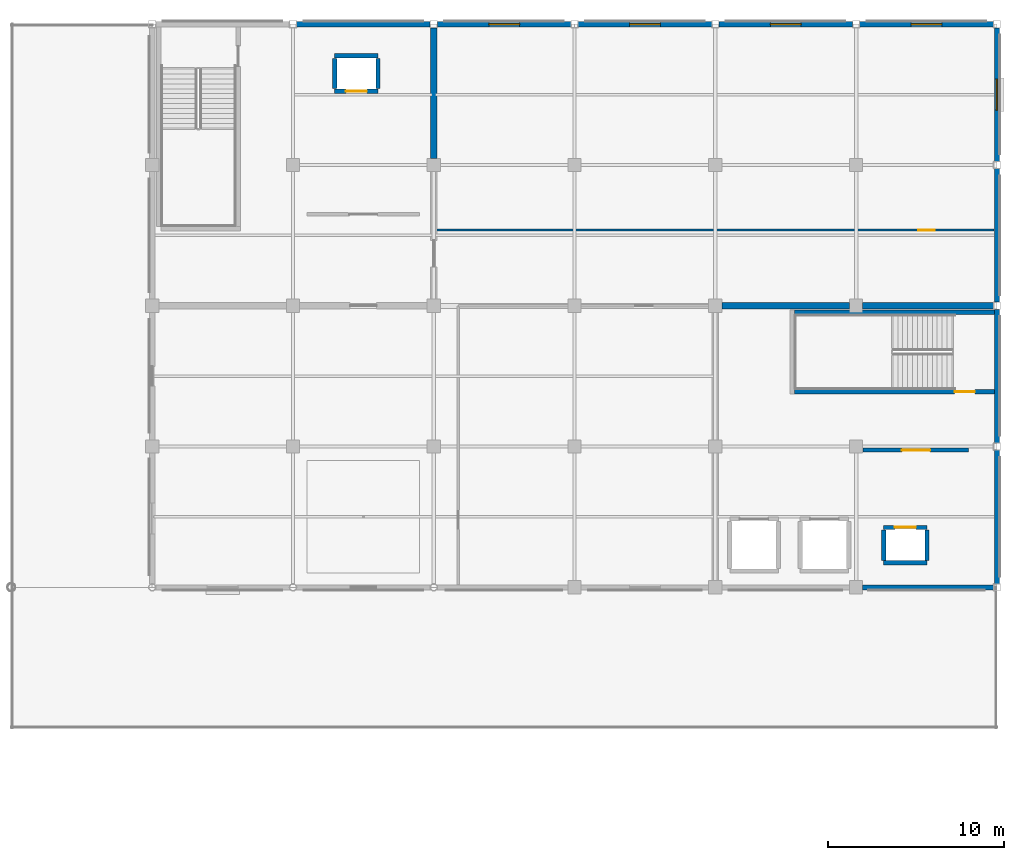
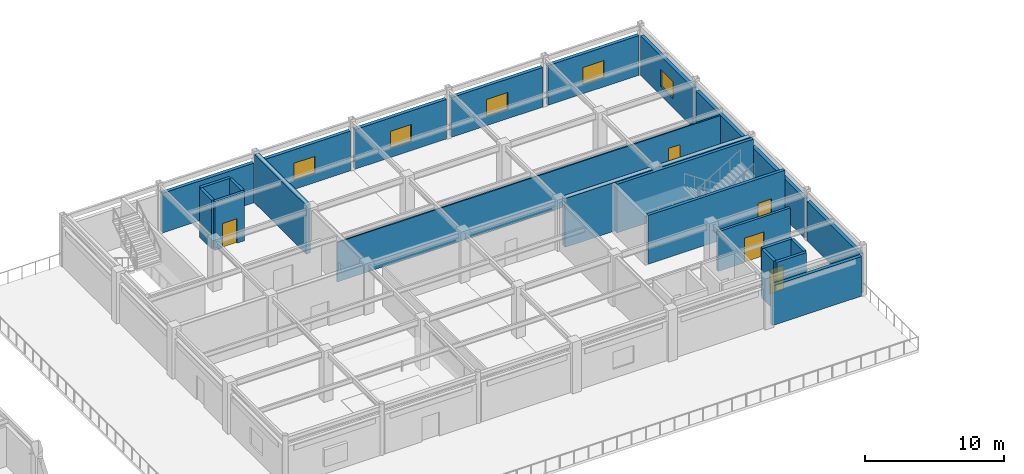
# One storey, part 60 of 75: 25 walls, 5 doors, 5 windows, 10 openings.
"""IFC4 building model written with IfcOpenShell, lengths in metres."""

import ifcopenshell
import ifcopenshell.guid

model = None  # the IFC model being written
_history = None  # IfcOwnerHistory: only IFC2X3 demands one
_inside = {}  # id of a spatial element -> (the spatial element, [elements in it])
_under = {}  # id of a project, library or spatial element -> (it, [spatial elements below it])
_declared = {}  # id of a project -> (the project, [libraries it declares])
_typed = {}  # id of a type object -> (the type object, [elements of that type])
_made_of = {}  # id of a material, layer set ... -> (it, [elements and type objects made of it])


def new_model(schema):
    """Start an empty IFC model of exactly this schema.

    Asked for "IFC4X3", IfcOpenShell would pick the latest addendum, in which some entities
    have other attributes; the version numbers below select the first issue.
    IFC2X3 requires an IfcOwnerHistory on every rooted entity: one is made here for all.
    """
    global model, _history
    if schema == "IFC4X3":
        model = ifcopenshell.file(schema_version=(4, 3, 0, 0))
    else:
        model = ifcopenshell.file(schema=schema)
    _inside.clear()
    _under.clear()
    _declared.clear()
    _typed.clear()
    _made_of.clear()
    _history = None
    if model.schema == "IFC2X3":
        org = make("IfcOrganization", Name="unknown")
        user = make(
            "IfcPersonAndOrganization",
            ThePerson=make("IfcPerson", FamilyName="unknown"),
            TheOrganization=org,
        )
        app = make(
            "IfcApplication",
            ApplicationDeveloper=org,
            Version="unknown",
            ApplicationFullName="unknown",
            ApplicationIdentifier="unknown",
        )
        _history = make(
            "IfcOwnerHistory",
            OwningUser=user,
            OwningApplication=app,
            ChangeAction="ADDED",
            CreationDate=0,
        )
    return model


def make(cls, **values):
    """One entity of the class cls with the attributes given. An attribute that is None is left unset."""
    return model.create_entity(
        cls, **{name: value for name, value in values.items() if value is not None}
    )


def rooted(cls, **values):
    """An entity with a GlobalId (a new one), such as an element, a storey or a relation."""
    return make(cls, GlobalId=ifcopenshell.guid.new(), OwnerHistory=_history, **values)


def si_unit(unit_type, name, prefix=None):
    """IfcSIUnit, for example si_unit("LENGTHUNIT", "METRE", prefix="MILLI")."""
    return make("IfcSIUnit", UnitType=unit_type, Prefix=prefix, Name=name)


def assignment(units):
    """IfcUnitAssignment: the units of a project."""
    return None if units is None else make("IfcUnitAssignment", Units=units)


def point(xyz):
    """IfcCartesianPoint."""
    return None if xyz is None else make("IfcCartesianPoint", Coordinates=xyz)


def direction(xyz):
    """IfcDirection."""
    return None if xyz is None else make("IfcDirection", DirectionRatios=xyz)


def frame(location, z_axis=None, x_axis=None):
    """IfcAxis2Placement3D, a coordinate frame: its origin and axes. An axis left out is left unset."""
    return make(
        "IfcAxis2Placement3D",
        Location=point(location),
        Axis=direction(z_axis),
        RefDirection=direction(x_axis),
    )


def frame_2d(location, x_axis=None):
    """IfcAxis2Placement2D, a coordinate frame in the plane: its origin and x axis."""
    return make(
        "IfcAxis2Placement2D", Location=point(location), RefDirection=direction(x_axis)
    )


def origin():
    """The frame at (0, 0, 0) with its axes left unset."""
    return frame((0.0, 0.0, 0.0))


def place(relative_to, where):
    """IfcLocalPlacement: puts the frame where relative to a parent placement (None: the world)."""
    return make(
        "IfcLocalPlacement", PlacementRelTo=relative_to, RelativePlacement=where
    )


def context(
    kind, dimensions, precision=None, world=None, true_north=None, identifier=None
):
    """IfcGeometricRepresentationContext, for example the 3D "Model" context."""
    return make(
        "IfcGeometricRepresentationContext",
        ContextIdentifier=identifier,
        ContextType=kind,
        CoordinateSpaceDimension=dimensions,
        Precision=precision,
        WorldCoordinateSystem=world,
        TrueNorth=true_north,
    )


def subcontext(parent, identifier, kind, view, scale=None):
    """IfcGeometricRepresentationSubContext, for example "Body" below "Model"."""
    return make(
        "IfcGeometricRepresentationSubContext",
        ContextIdentifier=identifier,
        ContextType=kind,
        ParentContext=parent,
        TargetScale=scale,
        TargetView=view,
    )


def project(units=None, contexts=None):
    """IfcProject with its units and contexts."""
    return rooted(
        "IfcProject",
        Name="project",
        RepresentationContexts=contexts,
        UnitsInContext=assignment(units),
    )


def spatial(cls, under=None, at=None, **own):
    """A site, building, storey or space (cls), placed at a placement, below another one or the project."""
    s = rooted(cls, ObjectPlacement=at, **own)
    if under is not None:
        _under.setdefault(under.id(), (under, []))[1].append(s)
    return s


def profile(cls, at=None, kind="AREA", **sizes):
    """A parametric profile (cls). Its sizes go by their IFC names, for example OverallWidth=200.0."""
    return make(cls, ProfileType=kind, Position=at, **sizes)


def rectangle(**sizes):
    """IfcRectangleProfileDef."""
    return profile("IfcRectangleProfileDef", **sizes)


def extrude(swept, where, along, depth):
    """IfcExtrudedAreaSolid: the profile swept, set in the frame where, extruded along a direction by depth."""
    return make(
        "IfcExtrudedAreaSolid",
        SweptArea=swept,
        Position=where,
        ExtrudedDirection=direction(along),
        Depth=depth,
    )


def shape(context_of_items, identifier, shape_type, items):
    """IfcShapeRepresentation: the items that make up one representation, for example the "Body"."""
    return make(
        "IfcShapeRepresentation",
        ContextOfItems=context_of_items,
        RepresentationIdentifier=identifier,
        RepresentationType=shape_type,
        Items=items,
    )


def material(Name=None, Category=None):
    """IfcMaterial."""
    return make("IfcMaterial", Name=Name, Category=Category)


def layer(
    of_material, thickness, ventilated=None, Name=None, Category=None, Priority=None
):
    """IfcMaterialLayer: one layer of a wall or slab, of a material (None: an air gap)."""
    return make(
        "IfcMaterialLayer",
        Material=of_material,
        LayerThickness=thickness,
        IsVentilated=ventilated,
        Name=Name,
        Category=Category,
        Priority=Priority,
    )


def layer_set(layers, Name=None):
    """IfcMaterialLayerSet."""
    return make("IfcMaterialLayerSet", MaterialLayers=layers, LayerSetName=Name)


def made_of(thing, what):
    """Note that an element or type object is made of a material, layer set ...; save() writes the relation."""
    if what is not None:
        _made_of.setdefault(what.id(), (what, []))[1].append(thing)
    return thing


def type_object(cls, material=None, **own):
    """A type object (cls), such as IfcWallType, which elements share."""
    return made_of(rooted(cls, **own), material)


def element(
    cls,
    number,
    at=None,
    inside=None,
    cuts=None,
    type_object=None,
    material=None,
    context=None,
    identifier="Body",
    shape_type=None,
    held_by="IfcProductDefinitionShape",
    body=None,
    shapes=None,
    **own,
):
    """One element of the class cls, such as IfcWall. Its Tag is "e" and its number.

    at: its placement. inside: the storey or other place that contains it. cuts: it is an
    opening in that element (IfcRelVoidsElement). A single representation is given by context,
    identifier, shape_type and body (its items); several are given by shapes. held_by: the class
    of the entity that holds the representations. save() writes the other relations.
    """
    e = rooted(cls, Tag="e%d" % number, ObjectPlacement=at, **own)
    if body is not None:
        shapes = [shape(context, identifier, shape_type, body)]
    if shapes is not None:
        e.Representation = make(held_by, Representations=shapes)
    if inside is not None:
        _inside.setdefault(inside.id(), (inside, []))[1].append(e)
    if cuts is not None:
        rooted(
            "IfcRelVoidsElement", RelatingBuildingElement=cuts, RelatedOpeningElement=e
        )
    if type_object is not None:
        _typed.setdefault(type_object.id(), (type_object, []))[1].append(e)
    return made_of(e, material)


def fill(opening, filler):
    """IfcRelFillsElement: the door or window that sits in an opening."""
    return rooted(
        "IfcRelFillsElement",
        RelatingOpeningElement=opening,
        RelatedBuildingElement=filler,
    )


def aggregate(whole, parts):
    """IfcRelAggregates: a whole, such as a stair, and the parts it consists of."""
    return rooted("IfcRelAggregates", RelatingObject=whole, RelatedObjects=parts)


def save(model, path):
    """Write the relations noted so far, then the file.

    IfcRelAggregates (storeys below a building ...), IfcRelContainedInSpatialStructure (elements
    in a storey), IfcRelDefinesByType, IfcRelAssociatesMaterial and IfcRelDeclares: one each for
    every whole, place, type object, material and project.
    """
    for whole, parts in _under.values():
        aggregate(whole, parts)
    for where, things in _inside.values():
        rooted(
            "IfcRelContainedInSpatialStructure",
            RelatedElements=things,
            RelatingStructure=where,
        )
    for kind, things in _typed.values():
        rooted("IfcRelDefinesByType", RelatedObjects=things, RelatingType=kind)
    for what, things in _made_of.values():
        rooted("IfcRelAssociatesMaterial", RelatedObjects=things, RelatingMaterial=what)
    for by, libraries in _declared.values():
        rooted("IfcRelDeclares", RelatingContext=by, RelatedDefinitions=libraries)
    model.write(path)


model = new_model("IFC4")

# Units and contexts
model_context = context("Model", 3, precision=1e-05, world=origin(), true_north=direction((0.0, 1.0)))
body_context = subcontext(model_context, "Body", "Model", "MODEL_VIEW")
ifc_project = project(units=[si_unit("LENGTHUNIT", "METRE"), si_unit("AREAUNIT", "SQUARE_METRE"), si_unit("VOLUMEUNIT", "CUBIC_METRE"), si_unit("PLANEANGLEUNIT", "RADIAN"), si_unit("MASSUNIT", "GRAM", prefix="KILO")], contexts=[model_context])

# Site, building, storey
site_placement = place(None, origin())
site = spatial("IfcSite", under=ifc_project, at=site_placement, CompositionType="ELEMENT")
building_placement = place(site_placement, origin())
building = spatial("IfcBuilding", under=site, at=building_placement, Name="Solmirada Galleria", CompositionType="ELEMENT")
storey_placement = place(building_placement, frame((0.0, 0.0, 19.39990234375)))
storey = spatial("IfcBuildingStorey", under=building, at=storey_placement, Name="L04", CompositionType="ELEMENT", Elevation=19.39990234375)

# Walls
ifc_material_1 = material(Name="Concrete C40/50", Category="concrete")
ifc_layer_1 = layer(ifc_material_1, 0.3798828125)
ifc_layer_set_1 = layer_set([ifc_layer_1], Name="Concrete C40/50")
wall_type_1 = type_object("IfcWallType", Name="WL-CORE-380", PredefinedType="SHEAR", material=ifc_layer_set_1)
wall_1_placement = place(storey_placement, frame((144.0, 112.375, 0.0), z_axis=(0.0, 0.0, 1.0), x_axis=(0.0, 1.0, 0.0)))
element("IfcWall", 1, at=wall_1_placement, inside=storey, type_object=wall_type_1, Name="Core C3 shear wall L04 E2", PredefinedType="SHEAR", context=body_context, shape_type="SweptSolid", body=[
    extrude(rectangle(XDim=7.422119140625, YDim=0.3798828125, at=frame_2d((3.7109375, 0.0))), origin(), (0.0, 0.0, 1.0), 4.280029296875),
])
wall_2_placement = place(storey_placement, frame((160.375, 104.0, 0.0), z_axis=(0.0, 0.0, 1.0), x_axis=(1.0, 0.0, 0.0)))
element("IfcWall", 2, at=wall_2_placement, inside=storey, type_object=wall_type_1, Name="Core C4 shear wall L04 N1", PredefinedType="SHEAR", context=body_context, shape_type="SweptSolid", body=[
    extrude(rectangle(XDim=7.25, YDim=0.3798828125, at=frame_2d((3.625, 0.0))), origin(), (0.0, 0.0, 1.0), 4.280029296875),
])
wall_3_placement = place(storey_placement, frame((168.375, 104.0, 0.0), z_axis=(0.0, 0.0, 1.0), x_axis=(1.0, 0.0, 0.0)))
element("IfcWall", 3, at=wall_3_placement, inside=storey, type_object=wall_type_1, Name="Core C4 shear wall L04 N2", PredefinedType="SHEAR", context=body_context, shape_type="SweptSolid", body=[
    extrude(rectangle(XDim=7.422119140625, YDim=0.3798828125, at=frame_2d((3.7109375, 0.0))), origin(), (0.0, 0.0, 1.0), 4.280029296875),
])

# Wall, opening, window
ifc_material_2 = material(Name="Precast concrete C40/50", Category="concrete")
ifc_layer_2 = layer(ifc_material_2, 0.2900390625)
ifc_layer_set_2 = layer_set([ifc_layer_2], Name="Precast concrete C40/50")
wall_type_2 = type_object("IfcWallType", Name="WL-EXT-290", PredefinedType="STANDARD", material=ifc_layer_set_2)
wall_4_placement = place(storey_placement, frame((152.202880859375, 120.0, 0.0), z_axis=(0.0, 0.0, 1.0), x_axis=(1.0, 0.0, 0.0)))
wall_4 = element("IfcWall", 4, at=wall_4_placement, inside=storey, type_object=wall_type_2, Name="Exterior wall L04 bay 071", PredefinedType="STANDARD", context=body_context, shape_type="SweptSolid", body=[
    extrude(rectangle(XDim=7.59423828125, YDim=0.2900390625, at=frame_2d((3.797119140625, 0.0))), origin(), (0.0, 0.0, 1.0), 3.47998046875),
])
opening_1_placement = place(wall_4_placement, frame((2.922119140625, 0.0, 0.800048828125)))
opening_1 = element("IfcOpeningElement", 5, at=opening_1_placement, cuts=wall_4, Name="Opening WN13", PredefinedType="OPENING", context=body_context, shape_type="SweptSolid", body=[
    extrude(rectangle(XDim=1.75, YDim=1.5, at=frame_2d((0.875, 0.75))), frame((0.0, 0.155029296875, 0.0), z_axis=(0.0, -1.0, 0.0), x_axis=(1.0, 0.0, 0.0)), (0.0, 0.0, 1.0), 0.31005859375),
])
ifc_material_3 = material(Name="Impact-resistant low-E double glazing", Category="glass")
window_type = type_object("IfcWindowType", Name="WIN-OFF-175X150", PartitioningType="SINGLE_PANEL", PredefinedType="WINDOW", material=ifc_material_3)
window_1_placement = place(opening_1_placement, origin())
window_1 = element("IfcWindow", 6, at=window_1_placement, inside=storey, type_object=window_type, Name="Window L04-139", OverallHeight=1.5, OverallWidth=1.75, PartitioningType="SINGLE_PANEL", PredefinedType="WINDOW", context=body_context, shape_type="SweptSolid", body=[
    extrude(rectangle(XDim=1.75, YDim=1.5, at=frame_2d((0.875, 0.75))), frame((0.0, 0.030029296875, 0.0), z_axis=(0.0, -1.0, 0.0), x_axis=(1.0, 0.0, 0.0)), (0.0, 0.0, 1.0), 0.06005859375),
])
fill(opening_1, window_1)

wall_5_placement = place(storey_placement, frame((160.202880859375, 120.0, 0.0), z_axis=(0.0, 0.0, 1.0), x_axis=(1.0, 0.0, 0.0)))
wall_5 = element("IfcWall", 7, at=wall_5_placement, inside=storey, type_object=wall_type_2, Name="Exterior wall L04 bay 072", PredefinedType="STANDARD", context=body_context, shape_type="SweptSolid", body=[
    extrude(rectangle(XDim=7.59423828125, YDim=0.2900390625, at=frame_2d((3.797119140625, 0.0))), origin(), (0.0, 0.0, 1.0), 3.47998046875),
])
opening_2_placement = place(wall_5_placement, frame((2.922119140625, 0.0, 0.800048828125)))
opening_2 = element("IfcOpeningElement", 8, at=opening_2_placement, cuts=wall_5, Name="Opening WN13", PredefinedType="OPENING", context=body_context, shape_type="SweptSolid", body=[
    extrude(rectangle(XDim=1.75, YDim=1.5, at=frame_2d((0.875, 0.75))), frame((0.0, 0.155029296875, 0.0), z_axis=(0.0, -1.0, 0.0), x_axis=(1.0, 0.0, 0.0)), (0.0, 0.0, 1.0), 0.31005859375),
])
window_2_placement = place(opening_2_placement, origin())
window_2 = element("IfcWindow", 9, at=window_2_placement, inside=storey, type_object=window_type, Name="Window L04-140", OverallHeight=1.5, OverallWidth=1.75, PartitioningType="SINGLE_PANEL", PredefinedType="WINDOW", context=body_context, shape_type="SweptSolid", body=[
    extrude(rectangle(XDim=1.75, YDim=1.5, at=frame_2d((0.875, 0.75))), frame((0.0, 0.030029296875, 0.0), z_axis=(0.0, -1.0, 0.0), x_axis=(1.0, 0.0, 0.0)), (0.0, 0.0, 1.0), 0.06005859375),
])
fill(opening_2, window_2)

wall_6_placement = place(storey_placement, frame((168.202880859375, 120.0, 0.0), z_axis=(0.0, 0.0, 1.0), x_axis=(1.0, 0.0, 0.0)))
wall_6 = element("IfcWall", 10, at=wall_6_placement, inside=storey, type_object=wall_type_2, Name="Exterior wall L04 bay 073", PredefinedType="STANDARD", context=body_context, shape_type="SweptSolid", body=[
    extrude(rectangle(XDim=7.59423828125, YDim=0.2900390625, at=frame_2d((3.797119140625, 0.0))), origin(), (0.0, 0.0, 1.0), 3.47998046875),
])
opening_3_placement = place(wall_6_placement, frame((2.922119140625, 0.0, 0.800048828125)))
opening_3 = element("IfcOpeningElement", 11, at=opening_3_placement, cuts=wall_6, Name="Opening WN13", PredefinedType="OPENING", context=body_context, shape_type="SweptSolid", body=[
    extrude(rectangle(XDim=1.75, YDim=1.5, at=frame_2d((0.875, 0.75))), frame((0.0, 0.155029296875, 0.0), z_axis=(0.0, -1.0, 0.0), x_axis=(1.0, 0.0, 0.0)), (0.0, 0.0, 1.0), 0.31005859375),
])
window_3_placement = place(opening_3_placement, origin())
window_3 = element("IfcWindow", 12, at=window_3_placement, inside=storey, type_object=window_type, Name="Window L04-141", OverallHeight=1.5, OverallWidth=1.75, PartitioningType="SINGLE_PANEL", PredefinedType="WINDOW", context=body_context, shape_type="SweptSolid", body=[
    extrude(rectangle(XDim=1.75, YDim=1.5, at=frame_2d((0.875, 0.75))), frame((0.0, 0.030029296875, 0.0), z_axis=(0.0, -1.0, 0.0), x_axis=(1.0, 0.0, 0.0)), (0.0, 0.0, 1.0), 0.06005859375),
])
fill(opening_3, window_3)

wall_7_placement = place(storey_placement, frame((176.0, 119.797119140625, 0.0), z_axis=(0.0, 0.0, 1.0), x_axis=(0.0, -1.0, 0.0)))
wall_7 = element("IfcWall", 13, at=wall_7_placement, inside=storey, type_object=wall_type_2, Name="Exterior wall L04 bay 074", PredefinedType="STANDARD", context=body_context, shape_type="SweptSolid", body=[
    extrude(rectangle(XDim=7.59423828125, YDim=0.2900390625, at=frame_2d((3.797119140625, 0.0))), origin(), (0.0, 0.0, 1.0), 3.47998046875),
])
opening_4_placement = place(wall_7_placement, frame((2.922119140625, 0.0, 0.800048828125)))
opening_4 = element("IfcOpeningElement", 14, at=opening_4_placement, cuts=wall_7, Name="Opening WN13", PredefinedType="OPENING", context=body_context, shape_type="SweptSolid", body=[
    extrude(rectangle(XDim=1.75, YDim=1.5, at=frame_2d((0.875, 0.75))), frame((0.0, 0.155029296875, 0.0), z_axis=(0.0, -1.0, 0.0), x_axis=(1.0, 0.0, 0.0)), (0.0, 0.0, 1.0), 0.31005859375),
])
window_4_placement = place(opening_4_placement, origin())
window_4 = element("IfcWindow", 15, at=window_4_placement, inside=storey, type_object=window_type, Name="Window L04-142", OverallHeight=1.5, OverallWidth=1.75, PartitioningType="SINGLE_PANEL", PredefinedType="WINDOW", context=body_context, shape_type="SweptSolid", body=[
    extrude(rectangle(XDim=1.75, YDim=1.5, at=frame_2d((0.875, 0.75))), frame((0.0, 0.030029296875, 0.0), z_axis=(0.0, -1.0, 0.0), x_axis=(1.0, 0.0, 0.0)), (0.0, 0.0, 1.0), 0.06005859375),
])
fill(opening_4, window_4)

# Walls
for number, where, z_axis, x_axis, name in (
    (16, (176.0, 111.797119140625, 0.0), (0.0, 0.0, 1.0), (0.0, -1.0, 0.0), "Exterior wall L04 bay 075"),
    (17, (176.0, 103.797119140625, 0.0), (0.0, 0.0, 1.0), (0.0, -1.0, 0.0), "Exterior wall L04 bay 076"),
    (18, (176.0, 95.797119140625, 0.0), (0.0, 0.0, 1.0), (0.0, -1.0, 0.0), "Exterior wall L04 bay 077"),
):
    element("IfcWall", number, at=place(storey_placement, frame(where, z_axis=z_axis, x_axis=x_axis)), inside=storey, type_object=wall_type_2, Name=name, PredefinedType="STANDARD", context=body_context, shape_type="SweptSolid", body=[
        extrude(rectangle(XDim=7.59423828125, YDim=0.2900390625, at=frame_2d((3.797119140625, 0.0))), origin(), (0.0, 0.0, 1.0), 3.47998046875),
    ])
wall_8_placement = place(storey_placement, frame((175.797119140625, 88.0, 0.0), z_axis=(0.0, 0.0, 1.0), x_axis=(-1.0, 0.0, 0.0)))
element("IfcWall", 19, at=wall_8_placement, inside=storey, type_object=wall_type_2, Name="Exterior wall L04 bay 078", PredefinedType="STANDARD", context=body_context, shape_type="SweptSolid", body=[
    extrude(rectangle(XDim=7.422119140625, YDim=0.2900390625, at=frame_2d((3.7109375, 0.0))), origin(), (0.0, 0.0, 1.0), 3.47998046875),
])
wall_9_placement = place(storey_placement, frame((136.202880859375, 120.0, 0.0), z_axis=(0.0, 0.0, 1.0), x_axis=(1.0, 0.0, 0.0)))
element("IfcWall", 20, at=wall_9_placement, inside=storey, type_object=wall_type_2, Name="Exterior wall L04 bay 089", PredefinedType="STANDARD", context=body_context, shape_type="SweptSolid", body=[
    extrude(rectangle(XDim=7.59423828125, YDim=0.2900390625, at=frame_2d((3.797119140625, 0.0))), origin(), (0.0, 0.0, 1.0), 3.47998046875),
])

# Wall, opening, window
wall_10_placement = place(storey_placement, frame((144.202880859375, 120.0, 0.0), z_axis=(0.0, 0.0, 1.0), x_axis=(1.0, 0.0, 0.0)))
wall_10 = element("IfcWall", 21, at=wall_10_placement, inside=storey, type_object=wall_type_2, Name="Exterior wall L04 bay 090", PredefinedType="STANDARD", context=body_context, shape_type="SweptSolid", body=[
    extrude(rectangle(XDim=7.59423828125, YDim=0.2900390625, at=frame_2d((3.797119140625, 0.0))), origin(), (0.0, 0.0, 1.0), 3.47998046875),
])
opening_5_placement = place(wall_10_placement, frame((2.922119140625, 0.0, 0.800048828125)))
opening_5 = element("IfcOpeningElement", 22, at=opening_5_placement, cuts=wall_10, Name="Opening WN13", PredefinedType="OPENING", context=body_context, shape_type="SweptSolid", body=[
    extrude(rectangle(XDim=1.75, YDim=1.5, at=frame_2d((0.875, 0.75))), frame((0.0, 0.155029296875, 0.0), z_axis=(0.0, -1.0, 0.0), x_axis=(1.0, 0.0, 0.0)), (0.0, 0.0, 1.0), 0.31005859375),
])
window_5_placement = place(opening_5_placement, origin())
window_5 = element("IfcWindow", 23, at=window_5_placement, inside=storey, type_object=window_type, Name="Window L04-146", OverallHeight=1.5, OverallWidth=1.75, PartitioningType="SINGLE_PANEL", PredefinedType="WINDOW", context=body_context, shape_type="SweptSolid", body=[
    extrude(rectangle(XDim=1.75, YDim=1.5, at=frame_2d((0.875, 0.75))), frame((0.0, 0.030029296875, 0.0), z_axis=(0.0, -1.0, 0.0), x_axis=(1.0, 0.0, 0.0)), (0.0, 0.0, 1.0), 0.06005859375),
])
fill(opening_5, window_5)

# Wall, opening, door
ifc_layer_3 = layer(ifc_material_1, 0.239990234375)
ifc_layer_set_3 = layer_set([ifc_layer_3], Name="Concrete C40/50")
wall_type_3 = type_object("IfcWallType", Name="WL-HOIST-240", PredefinedType="PARTITIONING", material=ifc_layer_set_3)
wall_11_placement = place(storey_placement, frame((138.3701171875, 116.195068359375, 0.0), z_axis=(0.0, 0.0, 1.0), x_axis=(1.0, 0.0, 0.0)))
wall_11 = element("IfcWall", 24, at=wall_11_placement, inside=storey, type_object=wall_type_3, Name="Lift FL1 hoistway front wall L04", PredefinedType="PARTITIONING", context=body_context, shape_type="SweptSolid", body=[
    extrude(rectangle(XDim=2.4599609375, YDim=0.239990234375, at=frame_2d((1.22998046875, 0.0))), origin(), (0.0, 0.0, 1.0), 4.280029296875),
])
opening_6_placement = place(wall_11_placement, frame((0.6298828125, 0.0, 0.0)))
opening_6 = element("IfcOpeningElement", 25, at=opening_6_placement, cuts=wall_11, Name="Opening LD-FL1-L04", PredefinedType="OPENING", context=body_context, shape_type="SweptSolid", body=[
    extrude(rectangle(XDim=1.199951171875, YDim=2.14990234375, at=frame_2d((0.60009765625, 1.074951171875))), frame((0.0, 0.1298828125, 0.0), z_axis=(0.0, -1.0, 0.0), x_axis=(1.0, 0.0, 0.0)), (0.0, 0.0, 1.0), 0.260009765625),
])
ifc_material_4 = material(Name="Brushed stainless-steel sliding landing door", Category="steel")
door_type_1 = type_object("IfcDoorType", Name="DR-LIFT-120X215", OperationType="SLIDING_TO_LEFT", PredefinedType="DOOR", material=ifc_material_4)
door_1_placement = place(opening_6_placement, origin())
door_1 = element("IfcDoor", 26, at=door_1_placement, inside=storey, type_object=door_type_1, Name="Lift FL1 sliding landing door L04", OperationType="SLIDING_TO_LEFT", OverallHeight=2.14990234375, OverallWidth=1.199951171875, PredefinedType="DOOR", context=body_context, shape_type="SweptSolid", body=[
    extrude(rectangle(XDim=1.199951171875, YDim=2.14990234375, at=frame_2d((0.60009765625, 1.074951171875))), frame((0.0, 0.02490234375, 0.0), z_axis=(0.0, -1.0, 0.0), x_axis=(1.0, 0.0, 0.0)), (0.0, 0.0, 1.0), 0.050048828125),
])
fill(opening_6, door_1)

# Walls
wall_12_placement = place(storey_placement, frame((138.3701171875, 118.205078125, 0.0), z_axis=(0.0, 0.0, 1.0), x_axis=(1.0, 0.0, 0.0)))
element("IfcWall", 27, at=wall_12_placement, inside=storey, type_object=wall_type_3, Name="Lift FL1 hoistway rear wall L04", PredefinedType="PARTITIONING", context=body_context, shape_type="SweptSolid", body=[
    extrude(rectangle(XDim=2.4599609375, YDim=0.239990234375, at=frame_2d((1.22998046875, 0.0))), origin(), (0.0, 0.0, 1.0), 4.280029296875),
])
for number, where, z_axis, x_axis, name in (
    (28, (138.3701171875, 116.3349609375, 0.0), (0.0, 0.0, 1.0), (0.0, 1.0, 0.0), "Lift FL1 hoistway side wall L L04"),
    (29, (140.830078125, 116.3349609375, 0.0), (0.0, 0.0, 1.0), (0.0, 1.0, 0.0), "Lift FL1 hoistway side wall R L04"),
):
    element("IfcWall", number, at=place(storey_placement, frame(where, z_axis=z_axis, x_axis=x_axis)), inside=storey, type_object=wall_type_3, Name=name, PredefinedType="PARTITIONING", context=body_context, shape_type="SweptSolid", body=[
        extrude(rectangle(XDim=1.72998046875, YDim=0.239990234375, at=frame_2d((0.864990234375, 0.0))), origin(), (0.0, 0.0, 1.0), 4.280029296875),
    ])

# Wall, opening, door
wall_13_placement = place(storey_placement, frame((169.570068359375, 91.405029296875, 0.0), z_axis=(0.0, 0.0, 1.0), x_axis=(1.0, 0.0, 0.0)))
wall_13 = element("IfcWall", 30, at=wall_13_placement, inside=storey, type_object=wall_type_3, Name="Lift FL2 hoistway front wall L04", PredefinedType="PARTITIONING", context=body_context, shape_type="SweptSolid", body=[
    extrude(rectangle(XDim=2.4599609375, YDim=0.239990234375, at=frame_2d((1.22998046875, 0.0))), origin(), (0.0, 0.0, 1.0), 4.280029296875),
])
opening_7_placement = place(wall_13_placement, frame((0.6298828125, 0.0, 0.0)))
opening_7 = element("IfcOpeningElement", 31, at=opening_7_placement, cuts=wall_13, Name="Opening LD-FL2-L04", PredefinedType="OPENING", context=body_context, shape_type="SweptSolid", body=[
    extrude(rectangle(XDim=1.199951171875, YDim=2.14990234375, at=frame_2d((0.60009765625, 1.074951171875))), frame((0.0, 0.1298828125, 0.0), z_axis=(0.0, -1.0, 0.0), x_axis=(1.0, 0.0, 0.0)), (0.0, 0.0, 1.0), 0.260009765625),
])
door_2_placement = place(opening_7_placement, origin())
door_2 = element("IfcDoor", 32, at=door_2_placement, inside=storey, type_object=door_type_1, Name="Lift FL2 sliding landing door L04", OperationType="SLIDING_TO_LEFT", OverallHeight=2.14990234375, OverallWidth=1.199951171875, PredefinedType="DOOR", context=body_context, shape_type="SweptSolid", body=[
    extrude(rectangle(XDim=1.199951171875, YDim=2.14990234375, at=frame_2d((0.60009765625, 1.074951171875))), frame((0.0, 0.02490234375, 0.0), z_axis=(0.0, -1.0, 0.0), x_axis=(1.0, 0.0, 0.0)), (0.0, 0.0, 1.0), 0.050048828125),
])
fill(opening_7, door_2)

# Walls
wall_14_placement = place(storey_placement, frame((169.570068359375, 89.39501953125, 0.0), z_axis=(0.0, 0.0, 1.0), x_axis=(1.0, 0.0, 0.0)))
element("IfcWall", 33, at=wall_14_placement, inside=storey, type_object=wall_type_3, Name="Lift FL2 hoistway rear wall L04", PredefinedType="PARTITIONING", context=body_context, shape_type="SweptSolid", body=[
    extrude(rectangle(XDim=2.4599609375, YDim=0.239990234375, at=frame_2d((1.22998046875, 0.0))), origin(), (0.0, 0.0, 1.0), 4.280029296875),
])
for number, where, z_axis, x_axis, name in (
    (34, (169.570068359375, 89.534912109375, 0.0), (0.0, 0.0, 1.0), (0.0, 1.0, 0.0), "Lift FL2 hoistway side wall L L04"),
    (35, (172.030029296875, 89.534912109375, 0.0), (0.0, 0.0, 1.0), (0.0, 1.0, 0.0), "Lift FL2 hoistway side wall R L04"),
):
    element("IfcWall", number, at=place(storey_placement, frame(where, z_axis=z_axis, x_axis=x_axis)), inside=storey, type_object=wall_type_3, Name=name, PredefinedType="PARTITIONING", context=body_context, shape_type="SweptSolid", body=[
        extrude(rectangle(XDim=1.72998046875, YDim=0.239990234375, at=frame_2d((0.864990234375, 0.0))), origin(), (0.0, 0.0, 1.0), 4.280029296875),
    ])

# Wall, opening, door
ifc_material_5 = material(Name="Acoustic gypsum board partition")
ifc_layer_4 = layer(ifc_material_5, 0.114990234375)
ifc_layer_set_4 = layer_set([ifc_layer_4], Name="Acoustic gypsum board partition")
wall_type_4 = type_object("IfcWallType", Name="WL-PART-115", PredefinedType="PARTITIONING", material=ifc_layer_set_4)
wall_15_placement = place(storey_placement, frame((144.0, 108.300048828125, 0.0), z_axis=(0.0, 0.0, 1.0), x_axis=(1.0, 0.0, 0.0)))
wall_15 = element("IfcWall", 36, at=wall_15_placement, inside=storey, type_object=wall_type_4, Name="Partition L04-142 (Staff Suite L04)", PredefinedType="PARTITIONING", context=body_context, shape_type="SweptSolid", body=[
    extrude(rectangle(XDim=31.85009765625, YDim=0.114990234375, at=frame_2d((15.925048828125, 0.0))), origin(), (0.0, 0.0, 1.0), 3.47998046875),
])
opening_8_placement = place(wall_15_placement, frame((27.530029296875, 0.0, 0.0)))
opening_8 = element("IfcOpeningElement", 37, at=opening_8_placement, cuts=wall_15, Name="Opening ID-362", PredefinedType="OPENING", context=body_context, shape_type="SweptSolid", body=[
    extrude(rectangle(XDim=0.949951171875, YDim=2.10009765625, at=frame_2d((0.47509765625, 1.050048828125))), frame((0.0, 0.0673828125, 0.0), z_axis=(0.0, -1.0, 0.0), x_axis=(1.0, 0.0, 0.0)), (0.0, 0.0, 1.0), 0.135009765625),
])
ifc_material_6 = material(Name="Architectural hardwood veneer door", Category="wood")
door_type_2 = type_object("IfcDoorType", Name="DR-ROOM-095X210", OperationType="NOTDEFINED", PredefinedType="DOOR", material=ifc_material_6)
door_3_placement = place(opening_8_placement, origin())
door_3 = element("IfcDoor", 38, at=door_3_placement, inside=storey, type_object=door_type_2, Name="Staff Suite L04 door ID-362", OperationType="SINGLE_SWING_RIGHT", OverallHeight=2.10009765625, OverallWidth=0.949951171875, PredefinedType="DOOR", context=body_context, shape_type="SweptSolid", body=[
    extrude(rectangle(XDim=0.949951171875, YDim=2.10009765625, at=frame_2d((0.47509765625, 1.050048828125))), frame((0.0, 0.02490234375, 0.0), z_axis=(0.0, -1.0, 0.0), x_axis=(1.0, 0.0, 0.0)), (0.0, 0.0, 1.0), 0.050048828125),
])
fill(opening_8, door_3)

ifc_material_7 = material(Name="Fire-rated gypsum and steel-stud partition", Category="steel")
ifc_layer_5 = layer(ifc_material_7, 0.219970703125)
ifc_layer_set_5 = layer_set([ifc_layer_5], Name="Fire-rated gypsum and steel-stud partition")
wall_type_5 = type_object("IfcWallType", Name="WL-PART-220", PredefinedType="PARTITIONING", material=ifc_layer_set_5)
wall_16_placement = place(storey_placement, frame((168.39990234375, 95.800048828125, 0.0), z_axis=(0.0, 0.0, 1.0), x_axis=(1.0, 0.0, 0.0)))
wall_16 = element("IfcWall", 39, at=wall_16_placement, inside=storey, type_object=wall_type_5, Name="Firefighting lift lobby C4 smoke barrier L04", PredefinedType="PARTITIONING", context=body_context, shape_type="SweptSolid", body=[
    extrude(rectangle(XDim=6.0, YDim=0.219970703125, at=frame_2d((3.0, 0.0))), origin(), (0.0, 0.0, 1.0), 3.47998046875),
])
opening_9_placement = place(wall_16_placement, frame((2.199951171875, 0.0, 0.0)))
opening_9 = element("IfcOpeningElement", 40, at=opening_9_placement, cuts=wall_16, Name="Opening FD-216", PredefinedType="OPENING", context=body_context, shape_type="SweptSolid", body=[
    extrude(rectangle(XDim=1.60009765625, YDim=2.14990234375, at=frame_2d((0.800048828125, 1.074951171875))), frame((0.0, 0.119873046875, 0.0), z_axis=(0.0, -1.0, 0.0), x_axis=(1.0, 0.0, 0.0)), (0.0, 0.0, 1.0), 0.239990234375),
])
ifc_material_8 = material(Name="Fire-rated painted steel door assembly", Category="steel")
door_type_3 = type_object("IfcDoorType", Name="DR-FFLOB-160X215", OperationType="DOUBLE_DOOR_SINGLE_SWING", PredefinedType="DOOR", material=ifc_material_8)
door_4_placement = place(opening_9_placement, origin())
door_4 = element("IfcDoor", 41, at=door_4_placement, inside=storey, type_object=door_type_3, Name="Firefighting lift lobby internal door FD-216", OperationType="DOUBLE_DOOR_SINGLE_SWING", OverallHeight=2.14990234375, OverallWidth=1.60009765625, PredefinedType="DOOR", context=body_context, shape_type="SweptSolid", body=[
    extrude(rectangle(XDim=1.60009765625, YDim=2.14990234375, at=frame_2d((0.800048828125, 1.074951171875))), frame((0.0, 0.02490234375, 0.0), z_axis=(0.0, -1.0, 0.0), x_axis=(1.0, 0.0, 0.0)), (0.0, 0.0, 1.0), 0.050048828125),
])
fill(opening_9, door_4)

ifc_layer_6 = layer(ifc_material_1, 0.260009765625)
ifc_layer_set_6 = layer_set([ifc_layer_6], Name="Concrete C40/50")
wall_type_6 = type_object("IfcWallType", Name="WL-SHAFT-260", PredefinedType="SHEAR", material=ifc_layer_set_6)
wall_17_placement = place(storey_placement, frame((164.5, 99.1201171875, 0.0), z_axis=(0.0, 0.0, 1.0), x_axis=(1.0, 0.0, 0.0)))
wall_17 = element("IfcWall", 42, at=wall_17_placement, inside=storey, type_object=wall_type_6, Name="Stair ST4 enclosure wall L04 S", PredefinedType="SHEAR", context=body_context, shape_type="SweptSolid", body=[
    extrude(rectangle(XDim=11.35498046875, YDim=0.260009765625, at=frame_2d((5.677490234375, 0.0))), origin(), (0.0, 0.0, 1.0), 4.280029296875),
])
opening_10_placement = place(wall_17_placement, frame((9.10009765625, 0.0, 0.0)))
opening_10 = element("IfcOpeningElement", 43, at=opening_10_placement, cuts=wall_17, Name="Opening SD-215", PredefinedType="OPENING", context=body_context, shape_type="SweptSolid", body=[
    extrude(rectangle(XDim=1.14990234375, YDim=2.14990234375, at=frame_2d((0.574951171875, 1.074951171875))), frame((0.0, 0.139892578125, 0.0), z_axis=(0.0, -1.0, 0.0), x_axis=(1.0, 0.0, 0.0)), (0.0, 0.0, 1.0), 0.280029296875),
])
door_type_4 = type_object("IfcDoorType", Name="DR-STAIR-115X215", OperationType="NOTDEFINED", PredefinedType="DOOR", material=ifc_material_8)
door_5_placement = place(opening_10_placement, origin())
door_5 = element("IfcDoor", 44, at=door_5_placement, inside=storey, type_object=door_type_4, Name="Exit stair ST4 enclosure fire door SD-215", OperationType="SINGLE_SWING_LEFT", OverallHeight=2.14990234375, OverallWidth=1.14990234375, PredefinedType="DOOR", context=body_context, shape_type="SweptSolid", body=[
    extrude(rectangle(XDim=1.14990234375, YDim=2.14990234375, at=frame_2d((0.574951171875, 1.074951171875))), frame((0.0, 0.02490234375, 0.0), z_axis=(0.0, -1.0, 0.0), x_axis=(1.0, 0.0, 0.0)), (0.0, 0.0, 1.0), 0.050048828125),
])
fill(opening_10, door_5)

# Wall
wall_18_placement = place(storey_placement, frame((164.5, 103.6298828125, 0.0), z_axis=(0.0, 0.0, 1.0), x_axis=(1.0, 0.0, 0.0)))
element("IfcWall", 45, at=wall_18_placement, inside=storey, type_object=wall_type_6, Name="Stair ST4 enclosure wall L04 N", PredefinedType="SHEAR", context=body_context, shape_type="SweptSolid", body=[
    extrude(rectangle(XDim=11.35498046875, YDim=0.260009765625, at=frame_2d((5.677490234375, 0.0))), origin(), (0.0, 0.0, 1.0), 4.280029296875),
])

save(model, "model.ifc")
